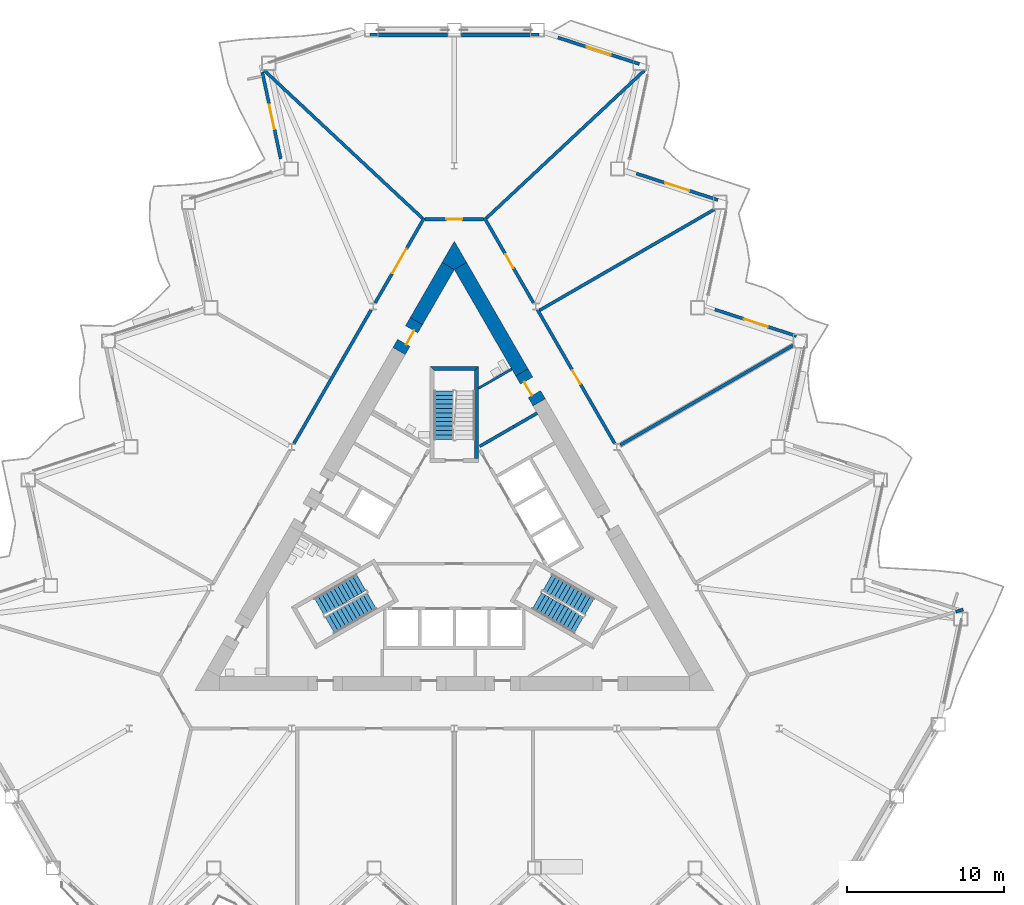
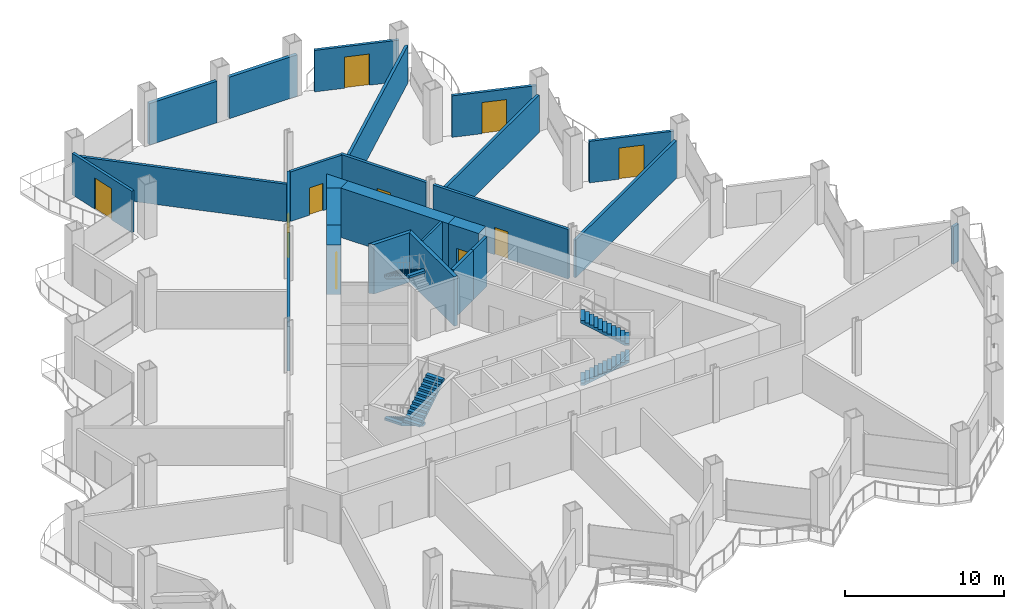
# One storey, part 13 of 21: 26 walls, 10 doors, 5 stair flights, 10 openings, 3 elements without a shape of their own.
"""IFC4 building model written with IfcOpenShell, lengths in metres."""

from ifc_helpers import new_model, si_unit, direction, frame, frame_2d, origin, place, context, subcontext, project, spatial, polyline, rectangle, outline, extrude, material, layer, layer_set, type_object, element, fill, aggregate, save


model = new_model("IFC4")

# Units and contexts
model_context = context("Model", 3, precision=1e-05, world=origin(), true_north=direction((0.0, 1.0)))
body_context = subcontext(model_context, "Body", "Model", "MODEL_VIEW")
ifc_project = project(units=[si_unit("LENGTHUNIT", "METRE"), si_unit("AREAUNIT", "SQUARE_METRE"), si_unit("VOLUMEUNIT", "CUBIC_METRE"), si_unit("PLANEANGLEUNIT", "RADIAN"), si_unit("MASSUNIT", "GRAM", prefix="KILO")], contexts=[model_context])

# Site, building, storey
site_placement = place(None, origin())
site = spatial("IfcSite", under=ifc_project, at=site_placement, CompositionType="ELEMENT")
building_placement = place(site_placement, origin())
building = spatial("IfcBuilding", under=site, at=building_placement, Name="Cormorant Prow Tower", CompositionType="ELEMENT")
storey_placement = place(building_placement, frame((0.0, 0.0, 103.800048828125)))
storey = spatial("IfcBuildingStorey", under=building, at=storey_placement, Name="L21", CompositionType="ELEMENT", Elevation=103.800048828125)

# Walls
ifc_material_1 = material(Name="Gypsum board partition")
ifc_layer_1 = layer(ifc_material_1, 0.14990234375)
ifc_layer_set_1 = layer_set([ifc_layer_1], Name="Gypsum board partition")
wall_type_1 = type_object("IfcWallType", Name="Core partition 150", PredefinedType="PARTITIONING", material=ifc_layer_set_1)
wall_1_placement = place(storey_placement, frame((3.654296875, 10.923095703125, 0.0), z_axis=(0.0, 0.0, 1.0), x_axis=(-0.865974546186, -0.5000880776, 0.0)))
element("IfcWall", 1, at=wall_1_placement, inside=storey, type_object=wall_type_1, Name="Service room partition", PredefinedType="PARTITIONING", context=body_context, shape_type="SweptSolid", body=[
    extrude(rectangle(XDim=2.44677734375, YDim=0.14990234375, at=frame_2d((1.223388671875, 0.0))), origin(), (0.0, 0.0, 1.0), 3.800048828125),
])
ifc_material_2 = material(Name="Concrete 8000 psi", Category="concrete")
ifc_layer_2 = layer(ifc_material_2, 0.89990234375)
ifc_layer_set_2 = layer_set([ifc_layer_2], Name="Concrete 8000 psi")
wall_type_2 = type_object("IfcWallType", Name="Core shear wall 900", PredefinedType="SHEAR", material=ifc_layer_set_2)
wall_2_placement = place(storey_placement, frame((4.2958984375, 10.7119140625, 0.0), z_axis=(0.0, 0.0, 1.0), x_axis=(-0.500011000363, 0.866019052629, 0.0)))
element("IfcWall", 2, at=wall_2_placement, inside=storey, type_object=wall_type_2, Name="Core wall", PredefinedType="SHEAR", context=body_context, shape_type="SweptSolid", body=[
    extrude(rectangle(XDim=7.812255859375, YDim=0.89990234375, at=frame_2d((3.90625, 0.0))), origin(), (0.0, 0.0, 1.0), 3.800048828125),
])
wall_3_placement = place(storey_placement, frame((-0.3896484375, 17.4775390625, 0.0), z_axis=(0.0, 0.0, 1.0), x_axis=(-0.500046330384, -0.865998653272, 0.0)))
element("IfcWall", 3, at=wall_3_placement, inside=storey, type_object=wall_type_2, Name="Core wall", PredefinedType="SHEAR", context=body_context, shape_type="SweptSolid", body=[
    extrude(rectangle(XDim=4.04541015625, YDim=0.89990234375, at=frame_2d((2.022705078125, 0.0))), origin(), (0.0, 0.0, 1.0), 3.800048828125),
])
wall_4_placement = place(storey_placement, origin())
element("IfcWall", 4, at=wall_4_placement, inside=storey, type_object=wall_type_2, Name="Core wall corner", PredefinedType="SHEAR", context=body_context, shape_type="SweptSolid", body=[
    extrude(outline(polyline([(-0.779296875, 17.70263671875), (0.0, 19.052490234375), (0.779296875, 17.70263671875), (0.0, 17.252685546875), (-0.779296875, 17.70263671875)])), origin(), (0.0, 0.0, 1.0), 3.800048828125),
])

# Wall, opening, door
wall_5_placement = place(storey_placement, frame((5.39599609375, 8.806396484375, 0.0), z_axis=(0.0, 0.0, 1.0), x_axis=(-0.499981787252, 0.866035918664, 0.0)))
wall_5 = element("IfcWall", 5, at=wall_5_placement, inside=storey, type_object=wall_type_2, Name="Core wall door panel", PredefinedType="SHEAR", context=body_context, shape_type="SweptSolid", body=[
    extrude(rectangle(XDim=2.2001953125, YDim=0.89990234375, at=frame_2d((1.10009765625, 0.0))), origin(), (0.0, 0.0, 1.0), 3.800048828125),
])
opening_1_placement = place(wall_5_placement, frame((0.60009765625, 0.0, 0.0)))
opening_1 = element("IfcOpeningElement", 6, at=opening_1_placement, cuts=wall_5, Name="Opening L21-C22", PredefinedType="OPENING", context=body_context, shape_type="SweptSolid", body=[
    extrude(rectangle(XDim=1.0, YDim=2.10009765625, at=frame_2d((0.5, 1.050048828125))), frame((0.0, 0.4599609375, 0.0), z_axis=(0.0, -1.0, 0.0), x_axis=(1.0, 0.0, 0.0)), (0.0, 0.0, 1.0), 0.919921875),
])
ifc_material_3 = material(Name="Painted steel", Category="steel")
door_type_1 = type_object("IfcDoorType", Name="Service door 1000x2100", OperationType="NOTDEFINED", PredefinedType="DOOR", material=ifc_material_3)
door_1_placement = place(opening_1_placement, origin())
door_1 = element("IfcDoor", 7, at=door_1_placement, inside=storey, type_object=door_type_1, Name="Core door, Mechanical riser room", OperationType="SINGLE_SWING_LEFT", OverallHeight=2.10009765625, OverallWidth=1.0, PredefinedType="DOOR", context=body_context, shape_type="SweptSolid", body=[
    extrude(rectangle(XDim=1.0, YDim=2.10009765625, at=frame_2d((0.5, 1.050048828125))), frame((0.0, 0.205078125, 0.0), z_axis=(0.0, -1.0, 0.0), x_axis=(1.0, 0.0, 0.0)), (0.0, 0.0, 1.0), 0.050048828125),
])
fill(opening_1, door_1)

wall_6_placement = place(storey_placement, frame((-2.41259765625, 13.97412109375, 0.0), z_axis=(0.0, 0.0, 1.0), x_axis=(-0.499946605688, -0.86605622881, 0.0)))
wall_6 = element("IfcWall", 8, at=wall_6_placement, inside=storey, type_object=wall_type_2, Name="Core wall door panel", PredefinedType="SHEAR", context=body_context, shape_type="SweptSolid", body=[
    extrude(rectangle(XDim=2.199951171875, YDim=0.89990234375, at=frame_2d((1.10009765625, 0.0))), origin(), (0.0, 0.0, 1.0), 3.800048828125),
])
opening_2_placement = place(wall_6_placement, frame((0.60009765625, 0.0, 0.0)))
opening_2 = element("IfcOpeningElement", 9, at=opening_2_placement, cuts=wall_6, Name="Opening L21-C23", PredefinedType="OPENING", context=body_context, shape_type="SweptSolid", body=[
    extrude(rectangle(XDim=1.0, YDim=2.10009765625, at=frame_2d((0.5, 1.050048828125))), frame((0.0, 0.4599609375, 0.0), z_axis=(0.0, -1.0, 0.0), x_axis=(1.0, 0.0, 0.0)), (0.0, 0.0, 1.0), 0.919921875),
])
door_2_placement = place(opening_2_placement, origin())
door_2 = element("IfcDoor", 10, at=door_2_placement, inside=storey, type_object=door_type_1, Name="Core door, Toilets (men) L21", OperationType="SINGLE_SWING_LEFT", OverallHeight=2.10009765625, OverallWidth=1.0, PredefinedType="DOOR", context=body_context, shape_type="SweptSolid", body=[
    extrude(rectangle(XDim=1.0, YDim=2.10009765625, at=frame_2d((0.5, 1.050048828125))), frame((0.0, 0.205078125, 0.0), z_axis=(0.0, -1.0, 0.0), x_axis=(1.0, 0.0, 0.0)), (0.0, 0.0, 1.0), 0.050048828125),
])
fill(opening_2, door_2)

# Wall
ifc_material_4 = material(Name="Gypsum board corridor wall")
ifc_layer_3 = layer(ifc_material_4, 0.199951171875)
ifc_layer_set_3 = layer_set([ifc_layer_3], Name="Gypsum board corridor wall")
wall_type_3 = type_object("IfcWallType", Name="Corridor wall 200", PredefinedType="PARTITIONING", material=ifc_layer_set_3)
wall_7_placement = place(storey_placement, frame((-10.197265625, 6.1904296875, 0.0), z_axis=(0.0, 0.0, 1.0), x_axis=(0.500012035596, 0.866018454918, 0.0)))
element("IfcWall", 11, at=wall_7_placement, inside=storey, type_object=wall_type_3, Name="Corridor wall", PredefinedType="PARTITIONING", context=body_context, shape_type="SweptSolid", body=[
    extrude(rectangle(XDim=9.803466796875, YDim=0.199951171875, at=frame_2d((4.90185546875, 0.0))), origin(), (0.0, 0.0, 1.0), 3.800048828125),
])

# Wall, opening, door
wall_8_placement = place(storey_placement, frame((5.28076171875, 14.7060546875, 0.0), z_axis=(0.0, 0.0, 1.0), x_axis=(0.500000421045, -0.866025160694, 0.0)))
wall_8 = element("IfcWall", 12, at=wall_8_placement, inside=storey, type_object=wall_type_3, Name="Corridor wall", PredefinedType="PARTITIONING", context=body_context, shape_type="SweptSolid", body=[
    extrude(rectangle(XDim=9.8330078125, YDim=0.199951171875, at=frame_2d((4.91650390625, 0.0))), origin(), (0.0, 0.0, 1.0), 3.800048828125),
])
opening_3_placement = place(wall_8_placement, frame((4.466552734375, 0.0, 0.0)))
opening_3 = element("IfcOpeningElement", 13, at=opening_3_placement, cuts=wall_8, Name="Opening L21-F09", PredefinedType="OPENING", context=body_context, shape_type="SweptSolid", body=[
    extrude(rectangle(XDim=1.0, YDim=2.10009765625, at=frame_2d((0.5, 1.050048828125))), frame((0.0, 0.10986328125, 0.0), z_axis=(0.0, -1.0, 0.0), x_axis=(1.0, 0.0, 0.0)), (0.0, 0.0, 1.0), 0.219970703125),
])
ifc_material_5 = material(Name="Timber door leaf", Category="wood")
door_type_2 = type_object("IfcDoorType", Name="Office door 1000x2100", OperationType="NOTDEFINED", PredefinedType="DOOR", material=ifc_material_5)
door_3_placement = place(opening_3_placement, origin())
door_3 = element("IfcDoor", 14, at=door_3_placement, inside=storey, type_object=door_type_2, Name="Open-plan office door", OperationType="SINGLE_SWING_RIGHT", OverallHeight=2.10009765625, OverallWidth=1.0, PredefinedType="DOOR", context=body_context, shape_type="SweptSolid", body=[
    extrude(rectangle(XDim=1.0, YDim=2.10009765625, at=frame_2d((0.5, 1.050048828125))), frame((0.0, 0.02490234375, 0.0), z_axis=(0.0, -1.0, 0.0), x_axis=(1.0, 0.0, 0.0)), (0.0, 0.0, 1.0), 0.050048828125),
])
fill(opening_3, door_3)

wall_9_placement = place(storey_placement, frame((-5.032958984375, 15.13525390625, 0.0), z_axis=(0.0, 0.0, 1.0), x_axis=(0.499980978912, 0.866036385336, 0.0)))
wall_9 = element("IfcWall", 15, at=wall_9_placement, inside=storey, type_object=wall_type_3, Name="Corridor wall", PredefinedType="PARTITIONING", context=body_context, shape_type="SweptSolid", body=[
    extrude(rectangle(XDim=6.239990234375, YDim=0.199951171875, at=frame_2d((3.1201171875, 0.0))), origin(), (0.0, 0.0, 1.0), 3.800048828125),
])
opening_4_placement = place(wall_9_placement, frame((2.16943359375, 0.0, 0.0)))
opening_4 = element("IfcOpeningElement", 16, at=opening_4_placement, cuts=wall_9, Name="Opening L21-F12", PredefinedType="OPENING", context=body_context, shape_type="SweptSolid", body=[
    extrude(rectangle(XDim=1.800048828125, YDim=2.10009765625, at=frame_2d((0.89990234375, 1.050048828125))), frame((0.0, 0.10986328125, 0.0), z_axis=(0.0, -1.0, 0.0), x_axis=(1.0, 0.0, 0.0)), (0.0, 0.0, 1.0), 0.219970703125),
])
ifc_material_6 = material(Name="Timber door leaf", Category="wood")
door_type_3 = type_object("IfcDoorType", Name="Double door 1800x2100", OperationType="DOUBLE_DOOR_SINGLE_SWING", PredefinedType="DOOR", material=ifc_material_6)
door_4_placement = place(opening_4_placement, origin())
door_4 = element("IfcDoor", 17, at=door_4_placement, inside=storey, type_object=door_type_3, Name="Open-plan office door", OperationType="DOUBLE_DOOR_SINGLE_SWING", OverallHeight=2.10009765625, OverallWidth=1.800048828125, PredefinedType="DOOR", context=body_context, shape_type="SweptSolid", body=[
    extrude(rectangle(XDim=1.800048828125, YDim=2.10009765625, at=frame_2d((0.89990234375, 1.050048828125))), frame((0.0, 0.02490234375, 0.0), z_axis=(0.0, -1.0, 0.0), x_axis=(1.0, 0.0, 0.0)), (0.0, 0.0, 1.0), 0.050048828125),
])
fill(opening_4, door_4)

wall_10_placement = place(storey_placement, frame((1.9130859375, 20.539306640625, 0.0), z_axis=(0.0, 0.0, 1.0), x_axis=(0.499980978912, -0.866036385336, 0.0)))
wall_10 = element("IfcWall", 18, at=wall_10_placement, inside=storey, type_object=wall_type_3, Name="Corridor wall", PredefinedType="PARTITIONING", context=body_context, shape_type="SweptSolid", body=[
    extrude(rectangle(XDim=6.239990234375, YDim=0.199951171875, at=frame_2d((3.1201171875, 0.0))), origin(), (0.0, 0.0, 1.0), 3.800048828125),
])
opening_5_placement = place(wall_10_placement, frame((2.67041015625, 0.0, 0.0)))
opening_5 = element("IfcOpeningElement", 19, at=opening_5_placement, cuts=wall_10, Name="Opening L21-F10", PredefinedType="OPENING", context=body_context, shape_type="SweptSolid", body=[
    extrude(rectangle(XDim=1.0, YDim=2.10009765625, at=frame_2d((0.5, 1.050048828125))), frame((0.0, 0.10986328125, 0.0), z_axis=(0.0, -1.0, 0.0), x_axis=(1.0, 0.0, 0.0)), (0.0, 0.0, 1.0), 0.219970703125),
])
door_5_placement = place(opening_5_placement, origin())
door_5 = element("IfcDoor", 20, at=door_5_placement, inside=storey, type_object=door_type_2, Name="Tenant suite door", OperationType="SINGLE_SWING_LEFT", OverallHeight=2.10009765625, OverallWidth=1.0, PredefinedType="DOOR", context=body_context, shape_type="SweptSolid", body=[
    extrude(rectangle(XDim=1.0, YDim=2.10009765625, at=frame_2d((0.5, 1.050048828125))), frame((0.0, 0.02490234375, 0.0), z_axis=(0.0, -1.0, 0.0), x_axis=(1.0, 0.0, 0.0)), (0.0, 0.0, 1.0), 0.050048828125),
])
fill(opening_5, door_5)

wall_11_placement = place(storey_placement, frame((-1.863037109375, 20.45263671875, 0.0), z_axis=(0.0, 0.0, 1.0), x_axis=(1.0, 0.0, 0.0)))
wall_11 = element("IfcWall", 21, at=wall_11_placement, inside=storey, type_object=wall_type_3, Name="Corridor wall", PredefinedType="PARTITIONING", context=body_context, shape_type="SweptSolid", body=[
    extrude(rectangle(XDim=3.72607421875, YDim=0.199951171875, at=frame_2d((1.863037109375, 0.0))), origin(), (0.0, 0.0, 1.0), 3.800048828125),
])
opening_6_placement = place(wall_11_placement, frame((1.363037109375, 0.0, 0.0)))
opening_6 = element("IfcOpeningElement", 22, at=opening_6_placement, cuts=wall_11, Name="Opening L21-F11", PredefinedType="OPENING", context=body_context, shape_type="SweptSolid", body=[
    extrude(rectangle(XDim=1.0, YDim=2.10009765625, at=frame_2d((0.5, 1.050048828125))), frame((0.0, 0.10986328125, 0.0), z_axis=(0.0, -1.0, 0.0), x_axis=(1.0, 0.0, 0.0)), (0.0, 0.0, 1.0), 0.219970703125),
])
door_6_placement = place(opening_6_placement, origin())
door_6 = element("IfcDoor", 23, at=door_6_placement, inside=storey, type_object=door_type_2, Name="Tenant suite door", OperationType="SINGLE_SWING_LEFT", OverallHeight=2.10009765625, OverallWidth=1.0, PredefinedType="DOOR", context=body_context, shape_type="SweptSolid", body=[
    extrude(rectangle(XDim=1.0, YDim=2.10009765625, at=frame_2d((0.5, 1.050048828125))), frame((0.0, 0.02490234375, 0.0), z_axis=(0.0, -1.0, 0.0), x_axis=(1.0, 0.0, 0.0)), (0.0, 0.0, 1.0), 0.050048828125),
])
fill(opening_6, door_6)

# Walls
ifc_material_7 = material(Name="Gypsum board demising wall")
ifc_layer_4 = layer(ifc_material_7, 0.199951171875)
ifc_layer_set_4 = layer_set([ifc_layer_4], Name="Gypsum board demising wall")
wall_type_4 = type_object("IfcWallType", Name="Demising wall 200", PredefinedType="PARTITIONING", material=ifc_layer_set_4)
for number, where, z_axis, x_axis, name in (
    (24, (2.0361328125, 20.520751953125, 0.0), (0.0, 0.0, 1.0), (0.730716801277, 0.682680713315, 0.0), "Demising wall"),
    (25, (-12.08203125, 29.90625, 0.0), (0.0, 0.0, 1.0), (0.730716801277, -0.682680713315, 0.0), "Demising wall"),
):
    element("IfcWall", number, at=place(storey_placement, frame(where, z_axis=z_axis, x_axis=x_axis)), inside=storey, type_object=wall_type_4, Name=name, PredefinedType="PARTITIONING", context=body_context, shape_type="SweptSolid", body=[
        extrude(rectangle(XDim=13.748046875, YDim=0.199951171875, at=frame_2d((6.8740234375, 0.0))), origin(), (0.0, 0.0, 1.0), 2.88525390625),
    ])
wall_12_placement = place(storey_placement, frame((5.42236328125, 14.66064453125, 0.0), z_axis=(0.0, 0.0, 1.0), x_axis=(0.866023907196, 0.500002592159, 0.0)))
element("IfcWall", 26, at=wall_12_placement, inside=storey, type_object=wall_type_4, Name="Demising wall", PredefinedType="PARTITIONING", context=body_context, shape_type="SweptSolid", body=[
    extrude(rectangle(XDim=12.82470703125, YDim=0.199951171875, at=frame_2d((6.412353515625, 0.0))), origin(), (0.0, 0.0, 1.0), 2.88525390625),
])
wall_13_placement = place(storey_placement, frame((10.555908203125, 6.094482421875, 0.0), z_axis=(0.0, 0.0, 1.0), x_axis=(0.86602461759, 0.500001361726, 0.0)))
element("IfcWall", 27, at=wall_13_placement, inside=storey, type_object=wall_type_4, Name="Demising wall", PredefinedType="PARTITIONING", context=body_context, shape_type="SweptSolid", body=[
    extrude(rectangle(XDim=12.67919921875, YDim=0.199951171875, at=frame_2d((6.339599609375, 0.0))), origin(), (0.0, 0.0, 1.0), 2.88525390625),
])
wall_14_placement = place(storey_placement, frame((31.883544921875, -4.507080078125, 0.0), z_axis=(0.0, 0.0, 1.0), x_axis=(0.956697940105, 0.291082550832, 0.0)))
element("IfcWall", 28, at=wall_14_placement, inside=storey, type_object=wall_type_4, Name="Demising wall", PredefinedType="PARTITIONING", context=body_context, shape_type="SweptSolid", body=[
    extrude(rectangle(XDim=0.491455078125, YDim=0.199951171875, at=frame_2d((0.24560546875, 0.0))), origin(), (0.0, 0.0, 1.0), 2.88525390625),
])
ifc_material_8 = material(Name="Concrete 8000 psi", Category="concrete")
ifc_layer_5 = layer(ifc_material_8, 0.199951171875)
ifc_layer_set_5 = layer_set([ifc_layer_5], Name="Concrete 8000 psi")
wall_type_5 = type_object("IfcWallType", Name="Lift shaft wall 200", PredefinedType="SHEAR", material=ifc_layer_set_5)
wall_15_placement = place(storey_placement, origin())
element("IfcWall", 29, at=wall_15_placement, inside=storey, type_object=wall_type_5, Name="Lift shaft walls, ENE block", PredefinedType="SHEAR", context=body_context, shape_type="SweptSolid", body=[
    extrude(outline(polyline([(1.560546875, 6.09716796875), (3.730712890625, 7.35009765625), (3.830810546875, 7.177001953125), (1.660400390625, 5.923828125), (1.560546875, 6.09716796875)])), origin(), (0.0, 0.0, 1.0), 3.800048828125),
])
wall_16_placement = place(storey_placement, frame((3.78076171875, 7.263427734375, 0.0), z_axis=(0.0, 0.0, 1.0), x_axis=(0.865963414263, 0.500107353632, 0.0)))
element("IfcWall", 30, at=wall_16_placement, inside=storey, type_object=wall_type_5, Name="Store side wall", PredefinedType="SHEAR", context=body_context, shape_type="SweptSolid", body=[
    extrude(rectangle(XDim=1.72021484375, YDim=0.199951171875, at=frame_2d((0.860107421875, 0.0))), origin(), (0.0, 0.0, 1.0), 3.800048828125),
])
ifc_material_9 = material(Name="Concrete 8000 psi", Category="concrete")
ifc_layer_6 = layer(ifc_material_9, 0.25)
ifc_layer_set_6 = layer_set([ifc_layer_6], Name="Concrete 8000 psi")
wall_type_6 = type_object("IfcWallType", Name="Stair wall 250", PredefinedType="SHEAR", material=ifc_layer_set_6)
wall_17_placement = place(storey_placement, origin())
element("IfcWall", 31, at=wall_17_placement, inside=storey, type_object=wall_type_6, Name="Stair ST3 enclosure wall (flank)", PredefinedType="SHEAR", context=body_context, shape_type="SweptSolid", body=[
    extrude(outline(polyline([(1.5439453125, 5.23681640625), (1.5439453125, 11.0869140625), (1.2939453125, 10.8369140625), (1.2939453125, 5.23681640625), (1.5439453125, 5.23681640625)])), origin(), (0.0, 0.0, 1.0), 3.800048828125),
])
wall_18_placement = place(storey_placement, origin())
element("IfcWall", 32, at=wall_18_placement, inside=storey, type_object=wall_type_6, Name="Stair ST3 enclosure wall (end)", PredefinedType="SHEAR", context=body_context, shape_type="SweptSolid", body=[
    extrude(outline(polyline([(1.5439453125, 11.0869140625), (-1.5439453125, 11.0869140625), (-1.2939453125, 10.8369140625), (1.2939453125, 10.8369140625), (1.5439453125, 11.0869140625)])), origin(), (0.0, 0.0, 1.0), 3.800048828125),
])
ifc_material_10 = material(Name="Terracotta", Category="masonry")
ifc_layer_7 = layer(ifc_material_10, 0.25)
ifc_layer_set_7 = layer_set([ifc_layer_7], Name="Terracotta")
wall_type_7 = type_object("IfcWallType", Name="Terracotta bay wall 250", PredefinedType="SOLIDWALL", material=ifc_layer_set_7)
for number, where, z_axis, x_axis, name in (
    (33, (5.376220703125, 32.17138671875, 0.0), (0.0, 0.0, 1.0), (-1.0, 0.0, 0.0), "Terracotta bay wall N00"),
    (34, (-0.449951171875, 32.17138671875, 0.0), (0.0, 0.0, 1.0), (-1.0, 0.0, 0.0), "Terracotta bay wall N01"),
):
    element("IfcWall", number, at=place(storey_placement, frame(where, z_axis=z_axis, x_axis=x_axis)), inside=storey, type_object=wall_type_7, Name=name, PredefinedType="SOLIDWALL", context=body_context, shape_type="SweptSolid", body=[
        extrude(rectangle(XDim=4.92626953125, YDim=0.25, at=frame_2d((2.463134765625, 0.0))), origin(), (0.0, 0.0, 1.0), 3.18896484375),
    ])

# Wall, opening, door
ifc_material_11 = material(Name="Terracotta", Category="masonry")
ifc_layer_8 = layer(ifc_material_11, 0.199951171875)
ifc_layer_set_8 = layer_set([ifc_layer_8], Name="Terracotta")
wall_type_8 = type_object("IfcWallType", Name="Terracotta jamb wall 200", PredefinedType="SOLIDWALL", material=ifc_layer_set_8)
wall_19_placement = place(storey_placement, frame((21.751220703125, 13.026611328125, 0.0), z_axis=(0.0, 0.0, 1.0), x_axis=(-0.951049879841, 0.309037418534, 0.0)))
wall_19 = element("IfcWall", 35, at=wall_19_placement, inside=storey, type_object=wall_type_8, Name="Terracotta jamb wall ENE05", PredefinedType="SOLIDWALL", context=body_context, shape_type="SweptSolid", body=[
    extrude(rectangle(XDim=5.4462890625, YDim=0.199951171875, at=frame_2d((2.72314453125, 0.0))), origin(), (0.0, 0.0, 1.0), 3.18896484375),
])
opening_7_placement = place(wall_19_placement, frame((1.923095703125, 0.0, 0.0)))
opening_7 = element("IfcOpeningElement", 36, at=opening_7_placement, cuts=wall_19, Name="Opening ED21.08", PredefinedType="OPENING", context=body_context, shape_type="SweptSolid", body=[
    extrude(rectangle(XDim=1.60009765625, YDim=2.39990234375, at=frame_2d((0.800048828125, 1.199951171875))), frame((0.0, 0.10986328125, 0.0), z_axis=(0.0, -1.0, 0.0), x_axis=(1.0, 0.0, 0.0)), (0.0, 0.0, 1.0), 0.219970703125),
])
ifc_material_12 = material(Name="Aluminium 6063-T6", Category="aluminium")
door_type_4 = type_object("IfcDoorType", Name="Balcony door 1600x2400", OperationType="DOUBLE_DOOR_SINGLE_SWING", PredefinedType="DOOR", material=ifc_material_12)
door_7_placement = place(opening_7_placement, origin())
door_7 = element("IfcDoor", 37, at=door_7_placement, inside=storey, type_object=door_type_4, Name="Balcony door ENE05 ED21.08", OperationType="DOUBLE_DOOR_SINGLE_SWING", OverallHeight=2.39990234375, OverallWidth=1.60009765625, PredefinedType="DOOR", context=body_context, shape_type="SweptSolid", body=[
    extrude(rectangle(XDim=1.60009765625, YDim=2.39990234375, at=frame_2d((0.800048828125, 1.199951171875))), frame((0.0, 0.02490234375, 0.0), z_axis=(0.0, -1.0, 0.0), x_axis=(1.0, 0.0, 0.0)), (0.0, 0.0, 1.0), 0.050048828125),
])
fill(opening_7, door_7)

wall_20_placement = place(storey_placement, frame((16.758544921875, 21.674072265625, 0.0), z_axis=(0.0, 0.0, 1.0), x_axis=(-0.951049879841, 0.309037418534, 0.0)))
wall_20 = element("IfcWall", 38, at=wall_20_placement, inside=storey, type_object=wall_type_8, Name="Terracotta jamb wall ENE07", PredefinedType="SOLIDWALL", context=body_context, shape_type="SweptSolid", body=[
    extrude(rectangle(XDim=5.4462890625, YDim=0.199951171875, at=frame_2d((2.72314453125, 0.0))), origin(), (0.0, 0.0, 1.0), 3.18896484375),
])
opening_8_placement = place(wall_20_placement, frame((1.923095703125, 0.0, 0.0)))
opening_8 = element("IfcOpeningElement", 39, at=opening_8_placement, cuts=wall_20, Name="Opening ED21.09", PredefinedType="OPENING", context=body_context, shape_type="SweptSolid", body=[
    extrude(rectangle(XDim=1.60009765625, YDim=2.39990234375, at=frame_2d((0.800048828125, 1.199951171875))), frame((0.0, 0.10986328125, 0.0), z_axis=(0.0, -1.0, 0.0), x_axis=(1.0, 0.0, 0.0)), (0.0, 0.0, 1.0), 0.219970703125),
])
door_8_placement = place(opening_8_placement, origin())
door_8 = element("IfcDoor", 40, at=door_8_placement, inside=storey, type_object=door_type_4, Name="Balcony door ENE07 ED21.09", OperationType="DOUBLE_DOOR_SINGLE_SWING", OverallHeight=2.39990234375, OverallWidth=1.60009765625, PredefinedType="DOOR", context=body_context, shape_type="SweptSolid", body=[
    extrude(rectangle(XDim=1.60009765625, YDim=2.39990234375, at=frame_2d((0.800048828125, 1.199951171875))), frame((0.0, 0.02490234375, 0.0), z_axis=(0.0, -1.0, 0.0), x_axis=(1.0, 0.0, 0.0)), (0.0, 0.0, 1.0), 0.050048828125),
])
fill(opening_8, door_8)

wall_21_placement = place(storey_placement, frame((11.765869140625, 30.32177734375, 0.0), z_axis=(0.0, 0.0, 1.0), x_axis=(-0.951049879841, 0.309037418534, 0.0)))
wall_21 = element("IfcWall", 41, at=wall_21_placement, inside=storey, type_object=wall_type_8, Name="Terracotta jamb wall ENE09", PredefinedType="SOLIDWALL", context=body_context, shape_type="SweptSolid", body=[
    extrude(rectangle(XDim=5.4462890625, YDim=0.199951171875, at=frame_2d((2.72314453125, 0.0))), origin(), (0.0, 0.0, 1.0), 3.18896484375),
])
opening_9_placement = place(wall_21_placement, frame((1.923095703125, 0.0, 0.0)))
opening_9 = element("IfcOpeningElement", 42, at=opening_9_placement, cuts=wall_21, Name="Opening ED21.10", PredefinedType="OPENING", context=body_context, shape_type="SweptSolid", body=[
    extrude(rectangle(XDim=1.60009765625, YDim=2.39990234375, at=frame_2d((0.800048828125, 1.199951171875))), frame((0.0, 0.10986328125, 0.0), z_axis=(0.0, -1.0, 0.0), x_axis=(1.0, 0.0, 0.0)), (0.0, 0.0, 1.0), 0.219970703125),
])
door_9_placement = place(opening_9_placement, origin())
door_9 = element("IfcDoor", 43, at=door_9_placement, inside=storey, type_object=door_type_4, Name="Balcony door ENE09 ED21.10", OperationType="DOUBLE_DOOR_SINGLE_SWING", OverallHeight=2.39990234375, OverallWidth=1.60009765625, PredefinedType="DOOR", context=body_context, shape_type="SweptSolid", body=[
    extrude(rectangle(XDim=1.60009765625, YDim=2.39990234375, at=frame_2d((0.800048828125, 1.199951171875))), frame((0.0, 0.02490234375, 0.0), z_axis=(0.0, -1.0, 0.0), x_axis=(1.0, 0.0, 0.0)), (0.0, 0.0, 1.0), 0.050048828125),
])
fill(opening_9, door_9)

wall_22_placement = place(storey_placement, frame((-12.2099609375, 29.799072265625, 0.0), z_axis=(0.0, 0.0, 1.0), x_axis=(0.207917875772, -0.978146286061, 0.0)))
wall_22 = element("IfcWall", 44, at=wall_22_placement, inside=storey, type_object=wall_type_8, Name="Terracotta jamb wall WNW01", PredefinedType="SOLIDWALL", context=body_context, shape_type="SweptSolid", body=[
    extrude(rectangle(XDim=5.63037109375, YDim=0.199951171875, at=frame_2d((2.815185546875, 0.0))), origin(), (0.0, 0.0, 1.0), 3.18896484375),
])
opening_10_placement = place(wall_22_placement, frame((2.107421875, 0.0, 0.0)))
opening_10 = element("IfcOpeningElement", 45, at=opening_10_placement, cuts=wall_22, Name="Opening ED21.11", PredefinedType="OPENING", context=body_context, shape_type="SweptSolid", body=[
    extrude(rectangle(XDim=1.60009765625, YDim=2.39990234375, at=frame_2d((0.800048828125, 1.199951171875))), frame((0.0, 0.10986328125, 0.0), z_axis=(0.0, -1.0, 0.0), x_axis=(1.0, 0.0, 0.0)), (0.0, 0.0, 1.0), 0.219970703125),
])
door_10_placement = place(opening_10_placement, origin())
door_10 = element("IfcDoor", 46, at=door_10_placement, inside=storey, type_object=door_type_4, Name="Balcony door WNW01 ED21.11", OperationType="DOUBLE_DOOR_SINGLE_SWING", OverallHeight=2.39990234375, OverallWidth=1.60009765625, PredefinedType="DOOR", context=body_context, shape_type="SweptSolid", body=[
    extrude(rectangle(XDim=1.60009765625, YDim=2.39990234375, at=frame_2d((0.800048828125, 1.199951171875))), frame((0.0, 0.02490234375, 0.0), z_axis=(0.0, -1.0, 0.0), x_axis=(1.0, 0.0, 0.0)), (0.0, 0.0, 1.0), 0.050048828125),
])
fill(opening_10, door_10)

# Stair, stair flights
ifc_material_13 = material(Name="Exit stair 24 risers")
stair_type = type_object("IfcStairType", Name="Exit stair 24 risers", PredefinedType="HALF_TURN_STAIR", material=ifc_material_13)
stair_1_placement = place(storey_placement, origin())
stair_1 = element("IfcStair", 47, at=stair_1_placement, inside=storey, type_object=stair_type, Name="L21 Exit stair ST1", PredefinedType="HALF_TURN_STAIR")
ifc_material_14 = material(Name="Concrete 5000 psi", Category="concrete")
stair_flight_type = type_object("IfcStairFlightType", Name="Stair flight 1219", PredefinedType="STRAIGHT", material=ifc_material_14)
stair_flight_1_placement = place(storey_placement, frame((-5.93310546875, -2.635009765625, 0.0), z_axis=(0.0, 0.0, 1.0), x_axis=(-0.866025403784, -0.5, 0.0)))
stair_flight_1 = element("IfcStairFlight", 48, at=stair_flight_1_placement, type_object=stair_flight_type, Name="ST1 flight 1", NumberOfRisers=12, NumberOfTreads=11, PredefinedType="STRAIGHT", RiserHeight=0.175, TreadLength=0.28, context=body_context, shape_type="SweptSolid", body=[
    extrude(outline(polyline([(0.0, 0.0), (0.0, 0.175048828125), (0.280029296875, 0.175048828125), (0.280029296875, 0.35009765625), (0.56005859375, 0.35009765625), (0.56005859375, 0.52490234375), (0.840087890625, 0.52490234375), (0.840087890625, 0.699951171875), (1.1201171875, 0.699951171875), (1.1201171875, 0.875), (1.39990234375, 0.875), (1.39990234375, 1.050048828125), (1.679931640625, 1.050048828125), (1.679931640625, 1.22509765625), (1.9599609375, 1.22509765625), (1.9599609375, 1.39990234375), (2.239990234375, 1.39990234375), (2.239990234375, 1.574951171875), (2.52001953125, 1.574951171875), (2.52001953125, 1.75), (2.800048828125, 1.75), (2.800048828125, 1.925048828125), (3.080078125, 1.925048828125), (3.080078125, 2.10009765625), (3.080078125, 1.748291015625), (0.28271484375, 0.0), (0.0, 0.0)])), frame((0.0, 0.609375, 0.0), z_axis=(0.0, -1.0, 0.0), x_axis=(1.0, 0.0, 0.0)), (0.0, 0.0, 1.0), 1.218994140625),
])
stair_flight_2_placement = place(storey_placement, frame((-7.916015625, -5.360595703125, 2.099853515625), z_axis=(0.0, 0.0, 1.0), x_axis=(0.866025403784, 0.5, 0.0)))
stair_flight_2 = element("IfcStairFlight", 49, at=stair_flight_2_placement, type_object=stair_flight_type, Name="ST1 flight 2", NumberOfRisers=12, NumberOfTreads=11, PredefinedType="STRAIGHT", RiserHeight=0.175, TreadLength=0.28, context=body_context, shape_type="SweptSolid", body=[
    extrude(outline(polyline([(0.0, 0.0), (0.0, 0.175048828125), (0.280029296875, 0.175048828125), (0.280029296875, 0.35009765625), (0.56005859375, 0.35009765625), (0.56005859375, 0.52490234375), (0.840087890625, 0.52490234375), (0.840087890625, 0.699951171875), (1.1201171875, 0.699951171875), (1.1201171875, 0.875), (1.39990234375, 0.875), (1.39990234375, 1.050048828125), (1.679931640625, 1.050048828125), (1.679931640625, 1.22509765625), (1.9599609375, 1.22509765625), (1.9599609375, 1.39990234375), (2.239990234375, 1.39990234375), (2.239990234375, 1.574951171875), (2.52001953125, 1.574951171875), (2.52001953125, 1.75), (2.800048828125, 1.75), (2.800048828125, 1.925048828125), (3.080078125, 1.925048828125), (3.080078125, 2.10009765625), (3.080078125, 1.748291015625), (0.28271484375, 0.0), (0.0, 0.0)])), frame((0.0, 0.609375, 0.0), z_axis=(0.0, -1.0, 0.0), x_axis=(1.0, 0.0, 0.0)), (0.0, 0.0, 1.0), 1.218994140625),
])
aggregate(stair_1, [stair_flight_1, stair_flight_2])

stair_2_placement = place(storey_placement, origin())
stair_2 = element("IfcStair", 50, at=stair_2_placement, inside=storey, type_object=stair_type, Name="L21 Exit stair ST2", PredefinedType="HALF_TURN_STAIR")
stair_flight_3_placement = place(storey_placement, frame((5.24853515625, -3.82080078125, 0.0), z_axis=(0.0, 0.0, 1.0), x_axis=(0.866025403784, -0.5, 0.0)))
stair_flight_3 = element("IfcStairFlight", 51, at=stair_flight_3_placement, type_object=stair_flight_type, Name="ST2 flight 1", NumberOfRisers=12, NumberOfTreads=11, PredefinedType="STRAIGHT", RiserHeight=0.175, TreadLength=0.28, context=body_context, shape_type="SweptSolid", body=[
    extrude(outline(polyline([(0.0, 0.0), (0.0, 0.175048828125), (0.280029296875, 0.175048828125), (0.280029296875, 0.35009765625), (0.56005859375, 0.35009765625), (0.56005859375, 0.52490234375), (0.840087890625, 0.52490234375), (0.840087890625, 0.699951171875), (1.1201171875, 0.699951171875), (1.1201171875, 0.875), (1.39990234375, 0.875), (1.39990234375, 1.050048828125), (1.679931640625, 1.050048828125), (1.679931640625, 1.22509765625), (1.9599609375, 1.22509765625), (1.9599609375, 1.39990234375), (2.239990234375, 1.39990234375), (2.239990234375, 1.574951171875), (2.52001953125, 1.574951171875), (2.52001953125, 1.75), (2.800048828125, 1.75), (2.800048828125, 1.925048828125), (3.080078125, 1.925048828125), (3.080078125, 2.10009765625), (3.080078125, 1.748291015625), (0.28271484375, 0.0), (0.0, 0.0)])), frame((0.0, 0.609375, 0.0), z_axis=(0.0, -1.0, 0.0), x_axis=(1.0, 0.0, 0.0)), (0.0, 0.0, 1.0), 1.218994140625),
])
stair_flight_4_placement = place(storey_placement, frame((8.6005859375, -4.175048828125, 2.099853515625), z_axis=(0.0, 0.0, 1.0), x_axis=(-0.866025403784, 0.5, 0.0)))
stair_flight_4 = element("IfcStairFlight", 52, at=stair_flight_4_placement, type_object=stair_flight_type, Name="ST2 flight 2", NumberOfRisers=12, NumberOfTreads=11, PredefinedType="STRAIGHT", RiserHeight=0.175, TreadLength=0.28, context=body_context, shape_type="SweptSolid", body=[
    extrude(outline(polyline([(0.0, 0.0), (0.0, 0.175048828125), (0.280029296875, 0.175048828125), (0.280029296875, 0.35009765625), (0.56005859375, 0.35009765625), (0.56005859375, 0.52490234375), (0.840087890625, 0.52490234375), (0.840087890625, 0.699951171875), (1.1201171875, 0.699951171875), (1.1201171875, 0.875), (1.39990234375, 0.875), (1.39990234375, 1.050048828125), (1.679931640625, 1.050048828125), (1.679931640625, 1.22509765625), (1.9599609375, 1.22509765625), (1.9599609375, 1.39990234375), (2.239990234375, 1.39990234375), (2.239990234375, 1.574951171875), (2.52001953125, 1.574951171875), (2.52001953125, 1.75), (2.800048828125, 1.75), (2.800048828125, 1.925048828125), (3.080078125, 1.925048828125), (3.080078125, 2.10009765625), (3.080078125, 1.748291015625), (0.28271484375, 0.0), (0.0, 0.0)])), frame((0.0, 0.609375, 0.0), z_axis=(0.0, -1.0, 0.0), x_axis=(1.0, 0.0, 0.0)), (0.0, 0.0, 1.0), 1.218994140625),
])
aggregate(stair_2, [stair_flight_3, stair_flight_4])

# Stair, stair flight
stair_3_placement = place(storey_placement, origin())
stair_3 = element("IfcStair", 53, at=stair_3_placement, inside=storey, type_object=stair_type, Name="L21 Exit stair ST3", PredefinedType="HALF_TURN_STAIR")
stair_flight_5_placement = place(storey_placement, frame((-0.6845703125, 9.535888671875, 2.099853515625), z_axis=(0.0, 0.0, 1.0), x_axis=(0.0, -1.0, 0.0)))
stair_flight_5 = element("IfcStairFlight", 54, at=stair_flight_5_placement, type_object=stair_flight_type, Name="ST3 flight 2", NumberOfRisers=12, NumberOfTreads=11, PredefinedType="STRAIGHT", RiserHeight=0.175, TreadLength=0.28, context=body_context, shape_type="SweptSolid", body=[
    extrude(outline(polyline([(0.0, 0.0), (0.0, 0.175048828125), (0.280029296875, 0.175048828125), (0.280029296875, 0.35009765625), (0.56005859375, 0.35009765625), (0.56005859375, 0.52490234375), (0.840087890625, 0.52490234375), (0.840087890625, 0.699951171875), (1.1201171875, 0.699951171875), (1.1201171875, 0.875), (1.39990234375, 0.875), (1.39990234375, 1.050048828125), (1.679931640625, 1.050048828125), (1.679931640625, 1.22509765625), (1.9599609375, 1.22509765625), (1.9599609375, 1.39990234375), (2.239990234375, 1.39990234375), (2.239990234375, 1.574951171875), (2.52001953125, 1.574951171875), (2.52001953125, 1.75), (2.800048828125, 1.75), (2.800048828125, 1.925048828125), (3.080078125, 1.925048828125), (3.080078125, 2.10009765625), (3.080078125, 1.748291015625), (0.28271484375, 0.0), (0.0, 0.0)])), frame((0.0, 0.609375, 0.0), z_axis=(0.0, -1.0, 0.0), x_axis=(1.0, 0.0, 0.0)), (0.0, 0.0, 1.0), 1.218994140625),
])
aggregate(stair_3, [stair_flight_5])

save(model, "model.ifc")
